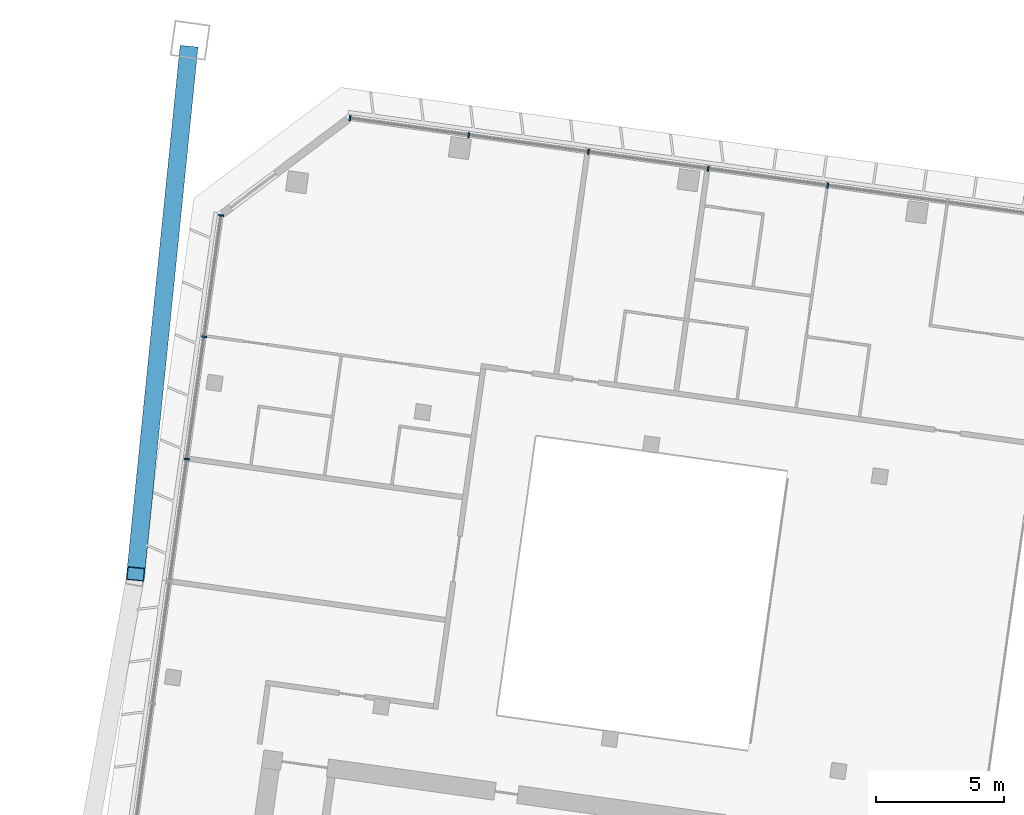
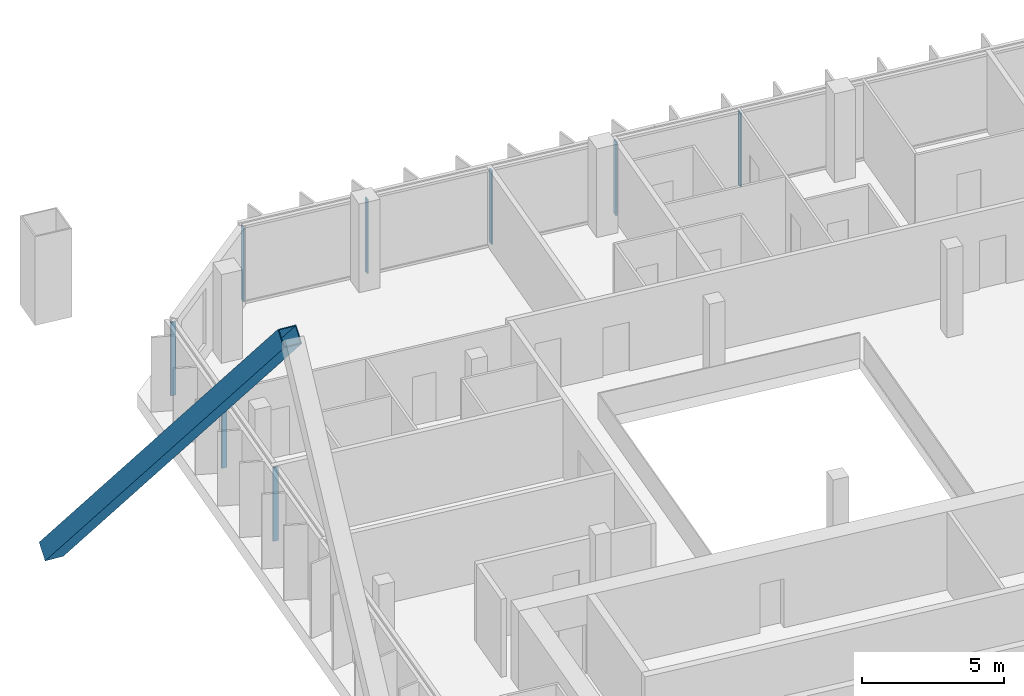
# One storey, part 4 of 23: 9 members, 2 elements without a shape of their own.
"""IFC4 building model written with IfcOpenShell, lengths in metres."""

from ifc_helpers import new_model, si_unit, direction, frame, origin, origin_2d, place, context, subcontext, project, spatial, rectangle, hollow_rectangle, extrude, material, material_profile, profile_set, type_object, element, aggregate, save


model = new_model("IFC4")

# Units and contexts
model_context = context("Model", 3, precision=1e-05, world=origin(), true_north=direction((0.0, 1.0)))
body_context = subcontext(model_context, "Body", "Model", "MODEL_VIEW")
ifc_project = project(units=[si_unit("LENGTHUNIT", "METRE"), si_unit("AREAUNIT", "SQUARE_METRE"), si_unit("VOLUMEUNIT", "CUBIC_METRE"), si_unit("PLANEANGLEUNIT", "RADIAN"), si_unit("MASSUNIT", "GRAM", prefix="KILO")], contexts=[model_context])

# Site, building, storey
site_placement = place(None, origin())
site = spatial("IfcSite", under=ifc_project, at=site_placement, CompositionType="ELEMENT")
building_placement = place(site_placement, origin())
building = spatial("IfcBuilding", under=site, at=building_placement, Name="Mirante Cascada Hotel Towers", CompositionType="ELEMENT")
storey_placement = place(building_placement, frame((0.0, 0.0, 195.4)))
storey = spatial("IfcBuildingStorey", under=building, at=storey_placement, Name="L46", CompositionType="ELEMENT", Elevation=195.4)

# Member
ifc_material_1 = material(Name="Steel ASTM A572 Gr 50", Category="steel")
ifc_material_profile_1 = material_profile(ifc_material_1, hollow_rectangle(XDim=0.7, YDim=0.7, WallThickness=0.035, at=origin_2d()), Name="Box brace 700x700x35 ASTM A572 Gr 50")
ifc_profile_set_1 = profile_set([ifc_material_profile_1], Name="Steel ASTM A572 Gr 50")
member_type_1 = type_object("IfcMemberType", Name="Box brace 700x700x35 ASTM A572 Gr 50", PredefinedType="BRACE", material=ifc_profile_set_1)
member_1_placement = place(storey_placement, frame((-82.6009, 26.1016, -9.9053), z_axis=(-0.0682068, -0.6742096, 0.7353838), x_axis=(0.9949217, -0.1006519, 0.0)))
element("IfcMember", 1, at=member_1_placement, inside=storey, type_object=member_type_1, Name="brace T1 L46 2", PredefinedType="BRACE", context=body_context, shape_type="SweptSolid", body=[
    extrude(hollow_rectangle(XDim=0.7, YDim=0.7, WallThickness=0.035, at=origin_2d()), origin(), (0.0, 0.0, 1.0), 30.1451),
])

# Curtain wall, members
ifc_material_2 = material(Name="Aluminium mullion and transom frame with clear laminated glass", Category="aluminium")
curtain_wall_type_1 = type_object("IfcCurtainWallType", Name="Ribbon curtain wall ECW1", PredefinedType="NOTDEFINED", material=ifc_material_2)
curtain_wall_1_placement = place(storey_placement, origin())
curtain_wall_1 = element("IfcCurtainWall", 2, at=curtain_wall_1_placement, inside=storey, type_object=curtain_wall_type_1, Name="Front ribbon wall T1 L46", PredefinedType="NOTDEFINED")
ifc_material_3 = material(Name="Anodised aluminium extrusion", Category="aluminium")
ifc_material_profile_2 = material_profile(ifc_material_3, rectangle(XDim=0.2, YDim=0.065, at=origin_2d()), Name="ECW1 MULLION 65x200")
ifc_profile_set_2 = profile_set([ifc_material_profile_2], Name="Anodised aluminium extrusion")
member_type_2 = type_object("IfcMemberType", Name="ECW1 mullion 65x200", PredefinedType="MULLION", material=ifc_profile_set_2)
member_2_placement = place(storey_placement, frame((-76.3011, 23.5425, 0.1), z_axis=(0.0, 0.0, 1.0), x_axis=(0.1391731, 0.9902681, 0.0)))
member_2 = element("IfcMember", 3, at=member_2_placement, type_object=member_type_2, Name="ECW1 mullion 1", PredefinedType="MULLION", context=body_context, shape_type="SweptSolid", body=[
    extrude(rectangle(XDim=0.2, YDim=0.065, at=origin_2d()), origin(), (0.0, 0.0, 1.0), 3.15),
])
member_3_placement = place(storey_placement, frame((-71.667, 22.8912, 0.1), z_axis=(0.0, 0.0, 1.0), x_axis=(0.1391731, 0.9902681, 0.0)))
member_3 = element("IfcMember", 4, at=member_3_placement, type_object=member_type_2, Name="ECW1 mullion 2", PredefinedType="MULLION", context=body_context, shape_type="SweptSolid", body=[
    extrude(rectangle(XDim=0.2, YDim=0.065, at=origin_2d()), origin(), (0.0, 0.0, 1.0), 3.15),
])
member_4_placement = place(storey_placement, frame((-67.0008, 22.2354, 0.1), z_axis=(0.0, 0.0, 1.0), x_axis=(0.1391731, 0.9902681, 0.0)))
member_4 = element("IfcMember", 5, at=member_4_placement, type_object=member_type_2, Name="ECW1 mullion 3", PredefinedType="MULLION", context=body_context, shape_type="SweptSolid", body=[
    extrude(rectangle(XDim=0.2, YDim=0.065, at=origin_2d()), origin(), (0.0, 0.0, 1.0), 3.15),
])
member_5_placement = place(storey_placement, frame((-62.3345, 21.5796, 0.1), z_axis=(0.0, 0.0, 1.0), x_axis=(0.1391731, 0.9902681, 0.0)))
member_5 = element("IfcMember", 6, at=member_5_placement, type_object=member_type_2, Name="ECW1 mullion 4", PredefinedType="MULLION", context=body_context, shape_type="SweptSolid", body=[
    extrude(rectangle(XDim=0.2, YDim=0.065, at=origin_2d()), origin(), (0.0, 0.0, 1.0), 3.15),
])
member_6_placement = place(storey_placement, frame((-57.6682, 20.9238, 0.1), z_axis=(0.0, 0.0, 1.0), x_axis=(0.1391731, 0.9902681, 0.0)))
member_6 = element("IfcMember", 7, at=member_6_placement, type_object=member_type_2, Name="ECW1 mullion 5", PredefinedType="MULLION", context=body_context, shape_type="SweptSolid", body=[
    extrude(rectangle(XDim=0.2, YDim=0.065, at=origin_2d()), origin(), (0.0, 0.0, 1.0), 3.15),
])
aggregate(curtain_wall_1, [member_2, member_3, member_4, member_5, member_6])

ifc_material_4 = material(Name="Aluminium mullion and transom frame with clear laminated glass", Category="aluminium")
curtain_wall_type_2 = type_object("IfcCurtainWallType", Name="End ribbon curtain wall ECW2", PredefinedType="NOTDEFINED", material=ifc_material_4)
curtain_wall_2_placement = place(storey_placement, origin())
curtain_wall_2 = element("IfcCurtainWall", 8, at=curtain_wall_2_placement, inside=storey, type_object=curtain_wall_type_2, Name="Outer end wall T1 L46", PredefinedType="NOTDEFINED")
ifc_material_5 = material(Name="Anodised aluminium extrusion", Category="aluminium")
ifc_material_profile_3 = material_profile(ifc_material_5, rectangle(XDim=0.2, YDim=0.065, at=origin_2d()), Name="ECW2 MULLION 65x200")
ifc_profile_set_3 = profile_set([ifc_material_profile_3], Name="Anodised aluminium extrusion")
member_type_3 = type_object("IfcMemberType", Name="ECW2 mullion 65x200", PredefinedType="MULLION", material=ifc_profile_set_3)
member_7_placement = place(storey_placement, frame((-82.6561, 10.2603, 0.1), z_axis=(0.0, 0.0, 1.0), x_axis=(-0.9902681, 0.1391731, 0.0)))
member_7 = element("IfcMember", 9, at=member_7_placement, type_object=member_type_3, Name="ECW2 mullion 5", PredefinedType="MULLION", context=body_context, shape_type="SweptSolid", body=[
    extrude(rectangle(XDim=0.2, YDim=0.065, at=origin_2d()), origin(), (0.0, 0.0, 1.0), 3.15),
])
member_8_placement = place(storey_placement, frame((-81.9864, 15.026, 0.1), z_axis=(0.0, 0.0, 1.0), x_axis=(-0.9902681, 0.1391731, 0.0)))
member_8 = element("IfcMember", 10, at=member_8_placement, type_object=member_type_3, Name="ECW2 mullion 6", PredefinedType="MULLION", context=body_context, shape_type="SweptSolid", body=[
    extrude(rectangle(XDim=0.2, YDim=0.065, at=origin_2d()), origin(), (0.0, 0.0, 1.0), 3.15),
])
member_9_placement = place(storey_placement, frame((-81.3211, 19.7596, 0.1), z_axis=(0.0, 0.0, 1.0), x_axis=(-0.9902681, 0.1391731, 0.0)))
member_9 = element("IfcMember", 11, at=member_9_placement, type_object=member_type_3, Name="ECW2 mullion 7", PredefinedType="MULLION", context=body_context, shape_type="SweptSolid", body=[
    extrude(rectangle(XDim=0.2, YDim=0.065, at=origin_2d()), origin(), (0.0, 0.0, 1.0), 3.15),
])
aggregate(curtain_wall_2, [member_7, member_8, member_9])

save(model, "model.ifc")
